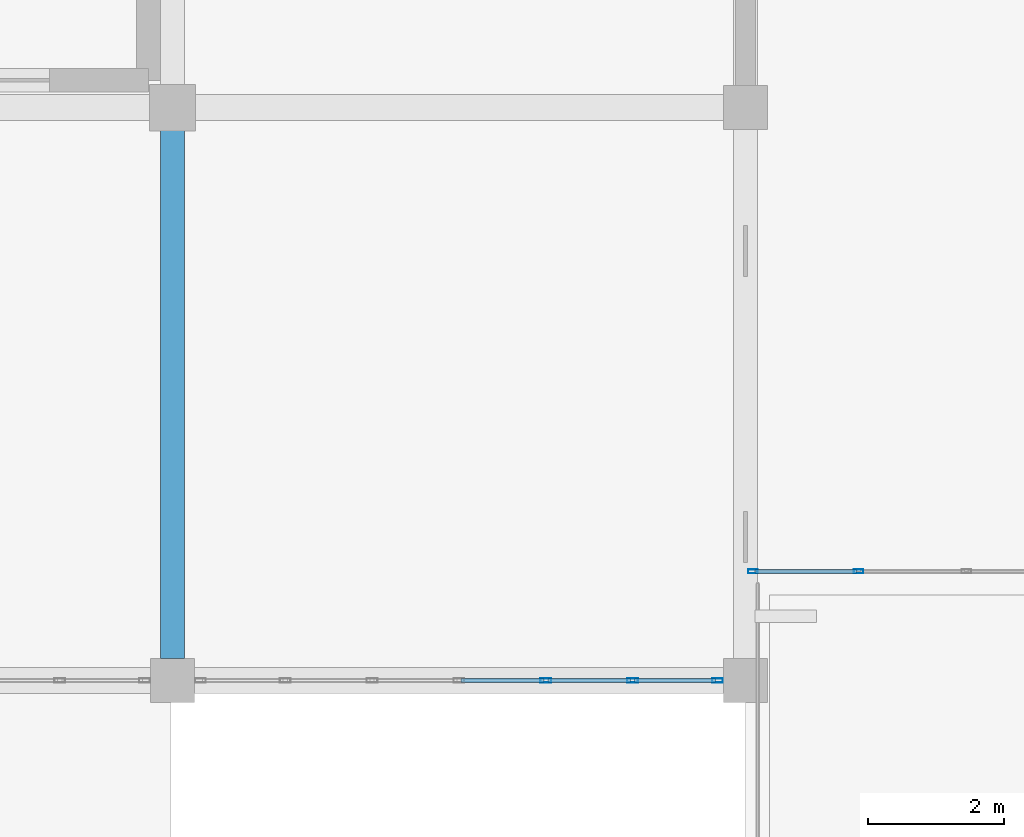
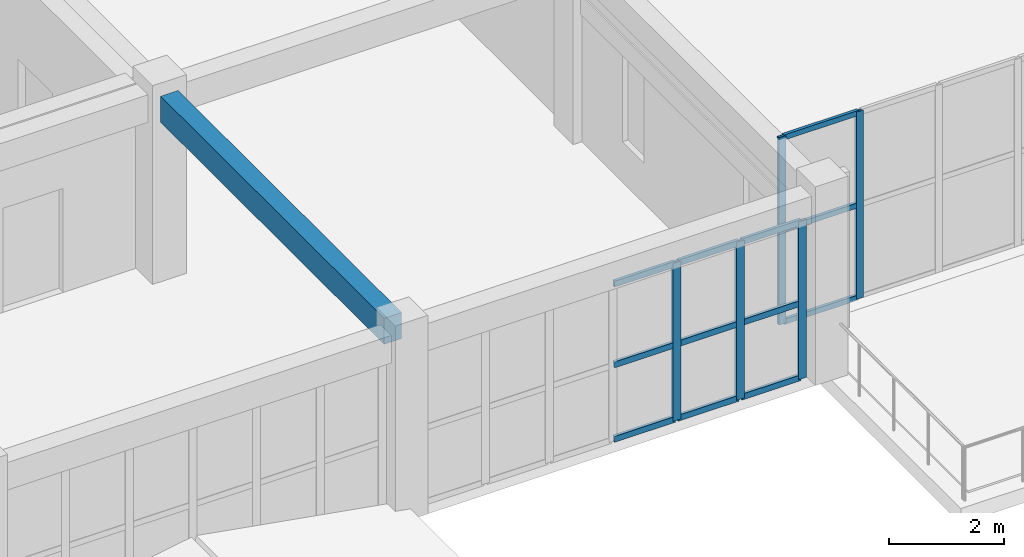
# One storey, part 26 of 90: 17 members, 1 beam, 2 elements without a shape of their own.
"""IFC4 building model written with IfcOpenShell, lengths in metres."""

from ifc_helpers import new_model, si_unit, direction, frame, origin, origin_2d, place, context, subcontext, project, spatial, rectangle, hollow_rectangle, extrude, material, layer, layer_set, material_profile, profile_set, type_object, element, aggregate, save


model = new_model("IFC4")

# Units and contexts
model_context = context("Model", 3, precision=1e-05, world=origin(), true_north=direction((0.0, 1.0)))
body_context = subcontext(model_context, "Body", "Model", "MODEL_VIEW")
ifc_project = project(units=[si_unit("LENGTHUNIT", "METRE"), si_unit("AREAUNIT", "SQUARE_METRE"), si_unit("VOLUMEUNIT", "CUBIC_METRE"), si_unit("PLANEANGLEUNIT", "RADIAN"), si_unit("MASSUNIT", "GRAM", prefix="KILO")], contexts=[model_context])

# Site, building, storey
site_placement = place(None, origin())
site = spatial("IfcSite", under=ifc_project, at=site_placement, CompositionType="ELEMENT")
building_placement = place(site_placement, origin())
building = spatial("IfcBuilding", under=site, at=building_placement, Name="Trelvath General Hospital", CompositionType="ELEMENT")
storey_placement = place(building_placement, frame((0.0, 0.0, 20.39990234375)))
storey = spatial("IfcBuildingStorey", under=building, at=storey_placement, Name="L05", CompositionType="ELEMENT", Elevation=20.39990234375)

# Beam
ifc_material_1 = material(Name="Concrete C35/45", Category="concrete")
ifc_material_profile_1 = material_profile(ifc_material_1, rectangle(XDim=0.35009765625, YDim=0.550048828125, at=origin_2d()), Name="RCB350x550")
ifc_profile_set_1 = profile_set([ifc_material_profile_1], Name="Concrete C35/45")
beam_type = type_object("IfcBeamType", Name="Beam RC350x550", PredefinedType="BEAM", material=ifc_profile_set_1)
beam_placement = place(storey_placement, frame((84.0, 42.320068359375, 3.64501953125), z_axis=(0.0, 1.0, 0.0), x_axis=(-1.0, 0.0, 0.0)))
element("IfcBeam", 1, at=beam_placement, inside=storey, type_object=beam_type, Name="Grid Beam BY-510F", PredefinedType="BEAM", context=body_context, shape_type="SweptSolid", body=[
    extrude(rectangle(XDim=0.35009765625, YDim=0.550048828125, at=origin_2d()), origin(), (0.0, 0.0, 1.0), 7.744873046875),
])

# Curtain wall, members
ifc_material_2 = material(Name="Anodised aluminium and low-E glass", Category="aluminium")
ifc_layer_1 = layer(ifc_material_2, 0.14990234375)
ifc_layer_set_1 = layer_set([ifc_layer_1], Name="Anodised aluminium and low-E glass")
curtain_wall_type_1 = type_object("IfcCurtainWallType", Name="CW CrystalCube 790 396 15", PredefinedType="USERDEFINED", material=ifc_layer_set_1)
curtain_wall_1_placement = place(storey_placement, origin())
curtain_wall_1 = element("IfcCurtainWall", 2, at=curtain_wall_1_placement, inside=storey, type_object=curtain_wall_type_1, Name="Crystal Cube Curtain Wall CUBE-E-T2 S1 L05", ObjectType="Unitised Glazed Curtain Wall", PredefinedType="USERDEFINED")
ifc_material_3 = material(Name="Anodised aluminium", Category="aluminium")
ifc_material_profile_2 = material_profile(ifc_material_3, hollow_rectangle(XDim=0.06005859375, YDim=0.139892578125, WallThickness=0.00390625, at=origin_2d()), Name="RHS60x140x4")
ifc_profile_set_2 = profile_set([ifc_material_profile_2], Name="Anodised aluminium")
member_type_1 = type_object("IfcMemberType", Name="CurtainMullion 60x140", PredefinedType="MULLION", material=ifc_profile_set_2)
member_1_placement = place(storey_placement, frame((94.06005859375, 43.60009765625, 0.0), z_axis=(0.0, 0.0, 1.0), x_axis=(0.0, -1.0, 0.0)))
member_1 = element("IfcMember", 3, at=member_1_placement, type_object=member_type_1, Name="CW-315 mullion 5", PredefinedType="MULLION", context=body_context, shape_type="SweptSolid", body=[
    extrude(hollow_rectangle(XDim=0.06005859375, YDim=0.139892578125, WallThickness=0.00390625, at=origin_2d()), origin(), (0.0, 0.0, 1.0), 3.960205078125),
])
member_2_placement = place(storey_placement, frame((92.510009765625, 43.60009765625, 0.0), z_axis=(0.0, 0.0, 1.0), x_axis=(0.0, -1.0, 0.0)))
member_2 = element("IfcMember", 4, at=member_2_placement, type_object=member_type_1, Name="CW-315 mullion 6", PredefinedType="MULLION", context=body_context, shape_type="SweptSolid", body=[
    extrude(hollow_rectangle(XDim=0.06005859375, YDim=0.139892578125, WallThickness=0.00390625, at=origin_2d()), origin(), (0.0, 0.0, 1.0), 3.960205078125),
])

ifc_material_4 = material(Name="Anodised aluminium and low-E glass", Category="aluminium")
ifc_layer_2 = layer(ifc_material_4, 0.14990234375)
ifc_layer_set_2 = layer_set([ifc_layer_2], Name="Anodised aluminium and low-E glass")
curtain_wall_type_2 = type_object("IfcCurtainWallType", Name="CW Facade 764 334 15", PredefinedType="USERDEFINED", material=ifc_layer_set_2)
curtain_wall_2_placement = place(storey_placement, origin())
curtain_wall_2 = element("IfcCurtainWall", 5, at=curtain_wall_2_placement, inside=storey, type_object=curtain_wall_type_2, Name="Facade Curtain Wall CW-072", ObjectType="Unitised Glazed Curtain Wall", PredefinedType="USERDEFINED")
ifc_material_5 = material(Name="Anodised aluminium", Category="aluminium")
ifc_material_profile_3 = material_profile(ifc_material_5, hollow_rectangle(XDim=0.06005859375, YDim=0.159912109375, WallThickness=0.00390625, at=origin_2d()), Name="RHS60x160x4")
ifc_profile_set_3 = profile_set([ifc_material_profile_3], Name="Anodised aluminium")
member_type_2 = type_object("IfcMemberType", Name="CurtainMullion 60x160", PredefinedType="MULLION", material=ifc_profile_set_3)
member_3_placement = place(storey_placement, frame((91.989990234375, 42.0, 0.0), z_axis=(0.0, 0.0, 1.0), x_axis=(0.0, -1.0, 0.0)))
member_3 = element("IfcMember", 6, at=member_3_placement, type_object=member_type_2, Name="CW-072 mullion 1", PredefinedType="MULLION", context=body_context, shape_type="SweptSolid", body=[
    extrude(hollow_rectangle(XDim=0.06005859375, YDim=0.159912109375, WallThickness=0.00390625, at=origin_2d()), origin(), (0.0, 0.0, 1.0), 3.340087890625),
])
member_4_placement = place(storey_placement, frame((90.74658203125, 42.0, 0.0), z_axis=(0.0, 0.0, 1.0), x_axis=(0.0, -1.0, 0.0)))
member_4 = element("IfcMember", 7, at=member_4_placement, type_object=member_type_2, Name="CW-072 mullion 2", PredefinedType="MULLION", context=body_context, shape_type="SweptSolid", body=[
    extrude(hollow_rectangle(XDim=0.06005859375, YDim=0.159912109375, WallThickness=0.00390625, at=origin_2d()), origin(), (0.0, 0.0, 1.0), 3.340087890625),
])
member_5_placement = place(storey_placement, frame((89.473388671875, 42.0, 0.0), z_axis=(0.0, 0.0, 1.0), x_axis=(0.0, -1.0, 0.0)))
member_5 = element("IfcMember", 8, at=member_5_placement, type_object=member_type_2, Name="CW-072 mullion 3", PredefinedType="MULLION", context=body_context, shape_type="SweptSolid", body=[
    extrude(hollow_rectangle(XDim=0.06005859375, YDim=0.159912109375, WallThickness=0.00390625, at=origin_2d()), origin(), (0.0, 0.0, 1.0), 3.340087890625),
])

# Member
ifc_material_6 = material(Name="Anodised aluminium", Category="aluminium")
ifc_material_profile_4 = material_profile(ifc_material_6, hollow_rectangle(XDim=0.06005859375, YDim=0.110107421875, WallThickness=0.00390625, at=origin_2d()), Name="RHS60x110x4")
ifc_profile_set_4 = profile_set([ifc_material_profile_4], Name="Anodised aluminium")
member_type_3 = type_object("IfcMemberType", Name="CurtainTransom 60x110", PredefinedType="USERDEFINED", material=ifc_profile_set_4)
member_6_placement = place(storey_placement, frame((94.030029296875, 43.60009765625, 0.030029296875), z_axis=(-1.0, 0.0, 0.0), x_axis=(0.0, -1.0, 0.0)))
member_6 = element("IfcMember", 9, at=member_6_placement, type_object=member_type_3, Name="CW-315 transom 5.1", ObjectType="TRANSOM", PredefinedType="USERDEFINED", context=body_context, shape_type="SweptSolid", body=[
    extrude(hollow_rectangle(XDim=0.06005859375, YDim=0.110107421875, WallThickness=0.00390625, at=origin_2d()), origin(), (0.0, 0.0, 1.0), 1.489990234375),
])

member_7_placement = place(storey_placement, frame((94.030029296875, 43.60009765625, 1.97998046875), z_axis=(-1.0, 0.0, 0.0), x_axis=(0.0, -1.0, 0.0)))
member_7 = element("IfcMember", 10, at=member_7_placement, type_object=member_type_3, Name="CW-315 transom 5.2", ObjectType="TRANSOM", PredefinedType="USERDEFINED", context=body_context, shape_type="SweptSolid", body=[
    extrude(hollow_rectangle(XDim=0.06005859375, YDim=0.110107421875, WallThickness=0.00390625, at=origin_2d()), origin(), (0.0, 0.0, 1.0), 1.489990234375),
])

member_8_placement = place(storey_placement, frame((94.030029296875, 43.60009765625, 3.93017578125), z_axis=(-1.0, 0.0, 0.0), x_axis=(0.0, -1.0, 0.0)))
member_8 = element("IfcMember", 11, at=member_8_placement, type_object=member_type_3, Name="CW-315 transom 5.3", ObjectType="TRANSOM", PredefinedType="USERDEFINED", context=body_context, shape_type="SweptSolid", body=[
    extrude(hollow_rectangle(XDim=0.06005859375, YDim=0.110107421875, WallThickness=0.00390625, at=origin_2d()), origin(), (0.0, 0.0, 1.0), 1.489990234375),
])

aggregate(curtain_wall_1, [member_1, member_2, member_6, member_7, member_8])

ifc_material_7 = material(Name="Anodised aluminium", Category="aluminium")
ifc_material_profile_5 = material_profile(ifc_material_7, hollow_rectangle(XDim=0.06005859375, YDim=0.125, WallThickness=0.00390625, at=origin_2d()), Name="RHS60x125x4")
ifc_profile_set_5 = profile_set([ifc_material_profile_5], Name="Anodised aluminium")
member_type_4 = type_object("IfcMemberType", Name="CurtainTransom 60x125", PredefinedType="USERDEFINED", material=ifc_profile_set_5)
member_9_placement = place(storey_placement, frame((91.9599609375, 42.0, 0.030029296875), z_axis=(-1.0, 0.0, 0.0), x_axis=(0.0, -1.0, 0.0)))
member_9 = element("IfcMember", 12, at=member_9_placement, type_object=member_type_4, Name="CW-072 transom 1.1", ObjectType="TRANSOM", PredefinedType="USERDEFINED", context=body_context, shape_type="SweptSolid", body=[
    extrude(hollow_rectangle(XDim=0.06005859375, YDim=0.125, WallThickness=0.00390625, at=origin_2d()), origin(), (0.0, 0.0, 1.0), 1.183349609375),
])

member_10_placement = place(storey_placement, frame((91.9599609375, 42.0, 1.60302734375), z_axis=(-1.0, 0.0, 0.0), x_axis=(0.0, -1.0, 0.0)))
member_10 = element("IfcMember", 13, at=member_10_placement, type_object=member_type_4, Name="CW-072 transom 1.2", ObjectType="TRANSOM", PredefinedType="USERDEFINED", context=body_context, shape_type="SweptSolid", body=[
    extrude(hollow_rectangle(XDim=0.06005859375, YDim=0.125, WallThickness=0.00390625, at=origin_2d()), origin(), (0.0, 0.0, 1.0), 1.183349609375),
])

member_11_placement = place(storey_placement, frame((91.9599609375, 42.0, 3.31005859375), z_axis=(-1.0, 0.0, 0.0), x_axis=(0.0, -1.0, 0.0)))
member_11 = element("IfcMember", 14, at=member_11_placement, type_object=member_type_4, Name="CW-072 transom 1.3", ObjectType="TRANSOM", PredefinedType="USERDEFINED", context=body_context, shape_type="SweptSolid", body=[
    extrude(hollow_rectangle(XDim=0.06005859375, YDim=0.125, WallThickness=0.00390625, at=origin_2d()), origin(), (0.0, 0.0, 1.0), 1.183349609375),
])

member_12_placement = place(storey_placement, frame((90.716552734375, 42.0, 0.030029296875), z_axis=(-1.0, 0.0, 0.0), x_axis=(0.0, -1.0, 0.0)))
member_12 = element("IfcMember", 15, at=member_12_placement, type_object=member_type_4, Name="CW-072 transom 2.1", ObjectType="TRANSOM", PredefinedType="USERDEFINED", context=body_context, shape_type="SweptSolid", body=[
    extrude(hollow_rectangle(XDim=0.06005859375, YDim=0.125, WallThickness=0.00390625, at=origin_2d()), origin(), (0.0, 0.0, 1.0), 1.213134765625),
])

member_13_placement = place(storey_placement, frame((90.716552734375, 42.0, 1.60302734375), z_axis=(-1.0, 0.0, 0.0), x_axis=(0.0, -1.0, 0.0)))
member_13 = element("IfcMember", 16, at=member_13_placement, type_object=member_type_4, Name="CW-072 transom 2.2", ObjectType="TRANSOM", PredefinedType="USERDEFINED", context=body_context, shape_type="SweptSolid", body=[
    extrude(hollow_rectangle(XDim=0.06005859375, YDim=0.125, WallThickness=0.00390625, at=origin_2d()), origin(), (0.0, 0.0, 1.0), 1.213134765625),
])

member_14_placement = place(storey_placement, frame((90.716552734375, 42.0, 3.31005859375), z_axis=(-1.0, 0.0, 0.0), x_axis=(0.0, -1.0, 0.0)))
member_14 = element("IfcMember", 17, at=member_14_placement, type_object=member_type_4, Name="CW-072 transom 2.3", ObjectType="TRANSOM", PredefinedType="USERDEFINED", context=body_context, shape_type="SweptSolid", body=[
    extrude(hollow_rectangle(XDim=0.06005859375, YDim=0.125, WallThickness=0.00390625, at=origin_2d()), origin(), (0.0, 0.0, 1.0), 1.213134765625),
])

member_15_placement = place(storey_placement, frame((89.443359375, 42.0, 0.030029296875), z_axis=(-1.0, 0.0, 0.0), x_axis=(0.0, -1.0, 0.0)))
member_15 = element("IfcMember", 18, at=member_15_placement, type_object=member_type_4, Name="CW-072 transom 3.1", ObjectType="TRANSOM", PredefinedType="USERDEFINED", context=body_context, shape_type="SweptSolid", body=[
    extrude(hollow_rectangle(XDim=0.06005859375, YDim=0.125, WallThickness=0.00390625, at=origin_2d()), origin(), (0.0, 0.0, 1.0), 1.21337890625),
])

member_16_placement = place(storey_placement, frame((89.443359375, 42.0, 1.60302734375), z_axis=(-1.0, 0.0, 0.0), x_axis=(0.0, -1.0, 0.0)))
member_16 = element("IfcMember", 19, at=member_16_placement, type_object=member_type_4, Name="CW-072 transom 3.2", ObjectType="TRANSOM", PredefinedType="USERDEFINED", context=body_context, shape_type="SweptSolid", body=[
    extrude(hollow_rectangle(XDim=0.06005859375, YDim=0.125, WallThickness=0.00390625, at=origin_2d()), origin(), (0.0, 0.0, 1.0), 1.21337890625),
])

member_17_placement = place(storey_placement, frame((89.443359375, 42.0, 3.31005859375), z_axis=(-1.0, 0.0, 0.0), x_axis=(0.0, -1.0, 0.0)))
member_17 = element("IfcMember", 20, at=member_17_placement, type_object=member_type_4, Name="CW-072 transom 3.3", ObjectType="TRANSOM", PredefinedType="USERDEFINED", context=body_context, shape_type="SweptSolid", body=[
    extrude(hollow_rectangle(XDim=0.06005859375, YDim=0.125, WallThickness=0.00390625, at=origin_2d()), origin(), (0.0, 0.0, 1.0), 1.21337890625),
])

aggregate(curtain_wall_2, [member_3, member_4, member_5, member_9, member_10, member_11, member_12, member_13, member_14, member_15, member_16, member_17])

save(model, "model.ifc")
